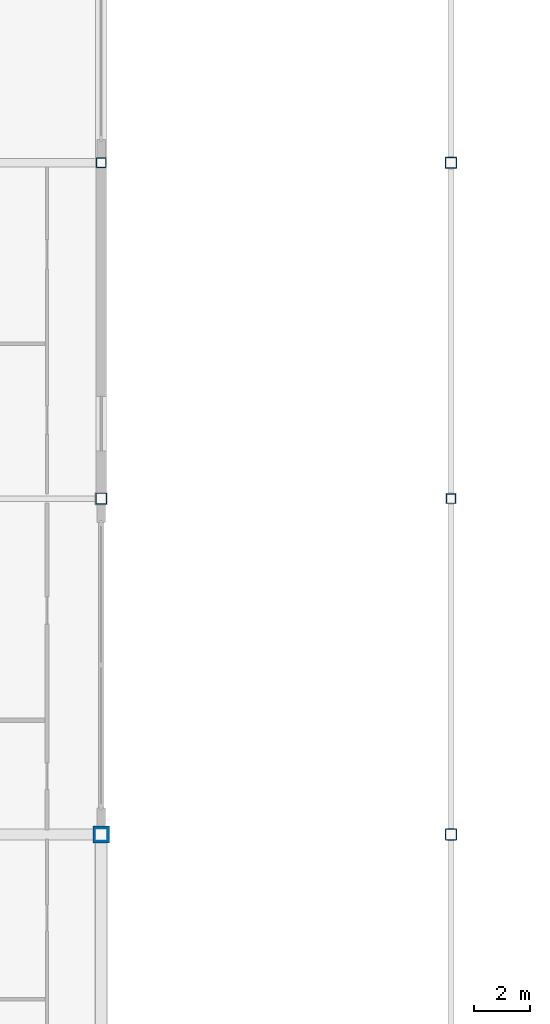
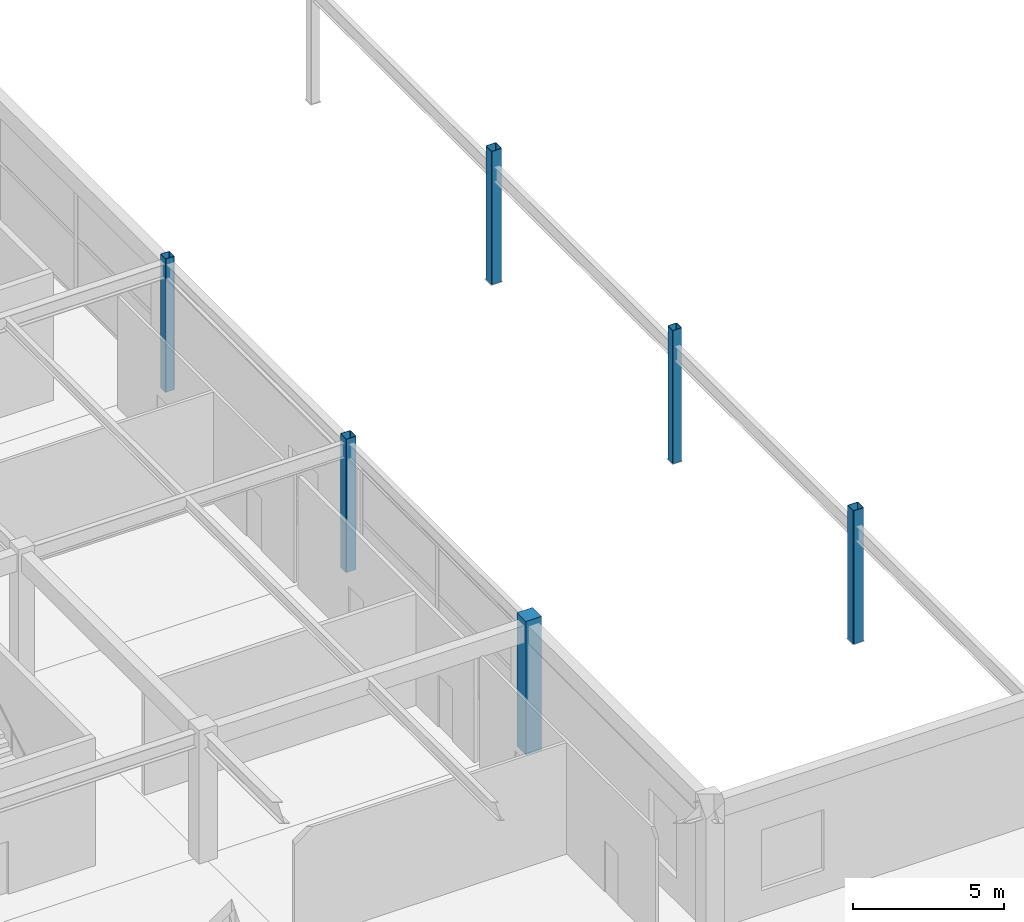
# One storey, part 4 of 105: 6 columns.
"""IFC4 building model written with IfcOpenShell, lengths in metres."""

from ifc_helpers import new_model, si_unit, direction, frame, origin, origin_2d, place, context, subcontext, project, spatial, rectangle, hollow_rectangle, extrude, material, material_profile, profile_set, type_object, element, save


model = new_model("IFC4")

# Units and contexts
model_context = context("Model", 3, precision=1e-05, world=origin(), true_north=direction((0.0, 1.0)))
body_context = subcontext(model_context, "Body", "Model", "MODEL_VIEW")
ifc_project = project(units=[si_unit("LENGTHUNIT", "METRE"), si_unit("AREAUNIT", "SQUARE_METRE"), si_unit("VOLUMEUNIT", "CUBIC_METRE"), si_unit("PLANEANGLEUNIT", "RADIAN"), si_unit("MASSUNIT", "GRAM", prefix="KILO")], contexts=[model_context])

# Site, building, storey
site_placement = place(None, origin())
site = spatial("IfcSite", under=ifc_project, at=site_placement, CompositionType="ELEMENT")
building_placement = place(site_placement, origin())
building = spatial("IfcBuilding", under=site, at=building_placement, Name="Kazenohara Klinker Stadium", CompositionType="ELEMENT")
storey_placement = place(building_placement, frame((0.0, 0.0, 20.39990234375)))
storey = spatial("IfcBuildingStorey", under=building, at=storey_placement, Name="L04", CompositionType="ELEMENT", Elevation=20.39990234375)

# Columns
ifc_material_1 = material(Name="Concrete C40/50", Category="concrete")
ifc_material_profile_1 = material_profile(ifc_material_1, rectangle(XDim=0.60009765625, YDim=0.60009765625, at=origin_2d()), Name="RC-COL-600x600")
ifc_profile_set_1 = profile_set([ifc_material_profile_1], Name="Concrete C40/50")
column_type_1 = type_object("IfcColumnType", Name="COL-RC07", PredefinedType="COLUMN", material=ifc_profile_set_1)
column_placement = place(storey_placement, frame((36.5, 48.0, 0.0), z_axis=(0.0, 0.0, 1.0), x_axis=(1.0, 0.0, 0.0)))
element("IfcColumn", 1, at=column_placement, inside=storey, type_object=column_type_1, Name="Column C07 L04 4/E", PredefinedType="COLUMN", context=body_context, shape_type="SweptSolid", body=[
    extrude(rectangle(XDim=0.60009765625, YDim=0.60009765625, at=origin_2d()), origin(), (0.0, 0.0, 1.0), 5.400146484375),
])
ifc_material_2 = material(Name="Steel S355", Category="steel")
ifc_material_profile_2 = material_profile(ifc_material_2, hollow_rectangle(XDim=0.39990234375, YDim=0.39990234375, WallThickness=0.01611328125, InnerFilletRadius=0.01611328125, OuterFilletRadius=0.031982421875, at=origin_2d()), Name="SHS-400x400x16")
ifc_profile_set_2 = profile_set([ifc_material_profile_2], Name="Steel S355")
column_type_2 = type_object("IfcColumnType", Name="COL-ST01", PredefinedType="COLUMN", material=ifc_profile_set_2)
for number, where, z_axis, x_axis, name in (
    (2, (36.5, 60.0, 0.0), (0.0, 0.0, 1.0), (1.0, 0.0, 0.0), "Column SC01 L04 4/F"),
    (3, (49.0, 48.0, 0.0), (0.0, 0.0, 1.0), (1.0, 0.0, 0.0), "Canopy ring support column SC01 L04 5/E"),
    (4, (49.0, 72.0, 0.0), (0.0, 0.0, 1.0), (1.0, 0.0, 0.0), "Canopy ring support column SC01 L04 5/G"),
):
    element("IfcColumn", number, at=place(storey_placement, frame(where, z_axis=z_axis, x_axis=x_axis)), inside=storey, type_object=column_type_2, Name=name, PredefinedType="COLUMN", context=body_context, shape_type="SweptSolid", body=[
        extrude(hollow_rectangle(XDim=0.39990234375, YDim=0.39990234375, WallThickness=0.01611328125, InnerFilletRadius=0.01611328125, OuterFilletRadius=0.031982421875, at=origin_2d()), origin(), (0.0, 0.0, 1.0), 5.400146484375),
    ])
ifc_material_profile_3 = material_profile(ifc_material_2, hollow_rectangle(XDim=0.35009765625, YDim=0.35009765625, WallThickness=0.01611328125, InnerFilletRadius=0.01611328125, OuterFilletRadius=0.031982421875, at=origin_2d()), Name="SHS-350x350x16")
ifc_profile_set_3 = profile_set([ifc_material_profile_3], Name="Steel S355")
column_type_3 = type_object("IfcColumnType", Name="COL-ST02", PredefinedType="COLUMN", material=ifc_profile_set_3)
for number, where, z_axis, x_axis, name in (
    (5, (36.5, 72.0, 0.0), (0.0, 0.0, 1.0), (1.0, 0.0, 0.0), "Column SC02 L04 4/G"),
    (6, (49.0, 60.0, 0.0), (0.0, 0.0, 1.0), (1.0, 0.0, 0.0), "Canopy ring support column SC02 L04 5/F"),
):
    element("IfcColumn", number, at=place(storey_placement, frame(where, z_axis=z_axis, x_axis=x_axis)), inside=storey, type_object=column_type_3, Name=name, PredefinedType="COLUMN", context=body_context, shape_type="SweptSolid", body=[
        extrude(hollow_rectangle(XDim=0.35009765625, YDim=0.35009765625, WallThickness=0.01611328125, InnerFilletRadius=0.01611328125, OuterFilletRadius=0.031982421875, at=origin_2d()), origin(), (0.0, 0.0, 1.0), 5.400146484375),
    ])

save(model, "model.ifc")
